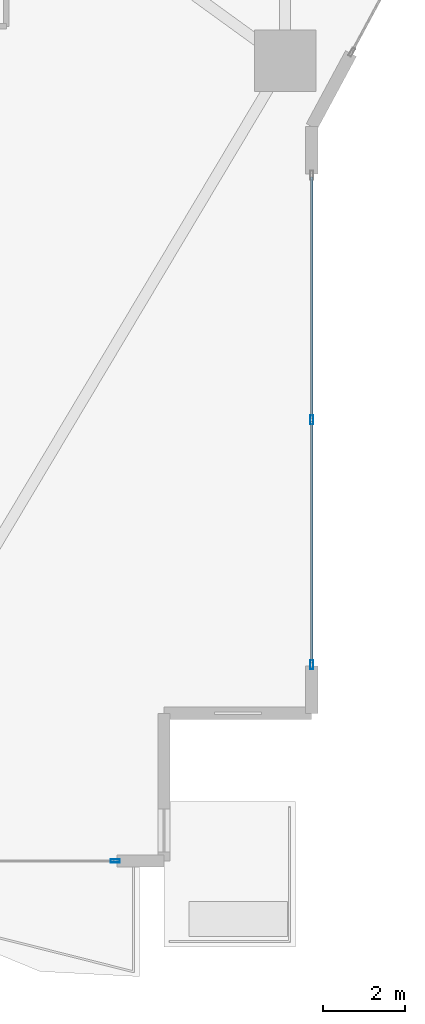
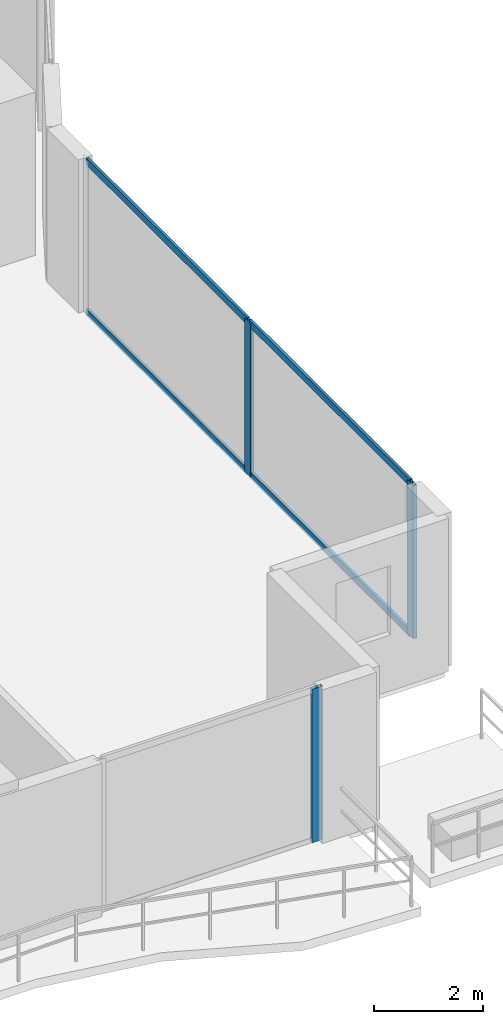
# One storey, part 10 of 30: 7 members, 2 elements without a shape of their own.
"""IFC4 building model written with IfcOpenShell, lengths in metres."""

from ifc_helpers import new_model, si_unit, direction, frame, origin, origin_2d, place, context, subcontext, project, spatial, hollow_rectangle, extrude, material, layer, layer_set, material_profile, profile_set, type_object, element, aggregate, save


model = new_model("IFC4")

# Units and contexts
model_context = context("Model", 3, precision=1e-05, world=origin(), true_north=direction((0.0, 1.0)))
body_context = subcontext(model_context, "Body", "Model", "MODEL_VIEW")
ifc_project = project(units=[si_unit("LENGTHUNIT", "METRE"), si_unit("AREAUNIT", "SQUARE_METRE"), si_unit("VOLUMEUNIT", "CUBIC_METRE"), si_unit("PLANEANGLEUNIT", "RADIAN"), si_unit("MASSUNIT", "GRAM", prefix="KILO")], contexts=[model_context])

# Site, building, storey
site_placement = place(None, origin())
site = spatial("IfcSite", under=ifc_project, at=site_placement, CompositionType="ELEMENT")
building_placement = place(site_placement, origin())
building = spatial("IfcBuilding", under=site, at=building_placement, Name="Zuhayl Quay Hotel", CompositionType="ELEMENT")
storey_placement = place(building_placement, frame((0.0, 0.0, 82.35009765625)))
storey = spatial("IfcBuildingStorey", under=building, at=storey_placement, Name="L20", CompositionType="ELEMENT", Elevation=82.35009765625)

# Curtain wall, members
ifc_material_1 = material(Name="Anodised Aluminium 6063-T6", Category="aluminium")
ifc_layer = layer(ifc_material_1, 0.18994140625, Name="Anodised Aluminium 6063-T6", Category="aluminium")
ifc_layer_set = layer_set([ifc_layer], Name="Anodised Aluminium 6063-T6")
curtain_wall_type = type_object("IfcCurtainWallType", Name="CW_SYS_Z1", PredefinedType="USERDEFINED", material=ifc_layer_set)
curtain_wall_1_placement = place(storey_placement, origin())
curtain_wall_1 = element("IfcCurtainWall", 1, at=curtain_wall_1_placement, inside=storey, type_object=curtain_wall_type, Name="L20 Curtain Wall ENV_L20_E14_CW1", ObjectType="UNITISED CURTAIN WALL", PredefinedType="USERDEFINED")
ifc_material_2 = material(Name="Black-anodised aluminium 6063-T6", Category="aluminium")
ifc_material_profile_1 = material_profile(ifc_material_2, hollow_rectangle(XDim=0.074951171875, YDim=0.219970703125, WallThickness=0.00390625, at=origin_2d()), Name="ALU220X75")
ifc_profile_set_1 = profile_set([ifc_material_profile_1], Name="Black-anodised aluminium 6063-T6")
member_type_1 = type_object("IfcMemberType", Name="MB_CW_MUL_220", PredefinedType="MULLION", material=ifc_profile_set_1)
member_1_placement = place(storey_placement, frame((25.699951171875, -12.35009765625, 0.0), z_axis=(0.0, 0.0, 1.0), x_axis=(1.0, 0.0, 0.0)))
member_1 = element("IfcMember", 2, at=member_1_placement, type_object=member_type_1, Name="CW-Z1 mullion 2", PredefinedType="MULLION", context=body_context, shape_type="SweptSolid", body=[
    extrude(hollow_rectangle(XDim=0.074951171875, YDim=0.219970703125, WallThickness=0.00390625, at=origin_2d()), origin(), (0.0, 0.0, 1.0), 3.429931640625),
])
member_2_placement = place(storey_placement, frame((25.699951171875, -18.3125, 0.0), z_axis=(0.0, 0.0, 1.0), x_axis=(1.0, 0.0, 0.0)))
member_2 = element("IfcMember", 3, at=member_2_placement, type_object=member_type_1, Name="CW-Z1 mullion 3", PredefinedType="MULLION", context=body_context, shape_type="SweptSolid", body=[
    extrude(hollow_rectangle(XDim=0.074951171875, YDim=0.219970703125, WallThickness=0.00390625, at=origin_2d()), origin(), (0.0, 0.0, 1.0), 3.429931640625),
])

# Curtain wall, member
curtain_wall_2_placement = place(storey_placement, origin())
curtain_wall_2 = element("IfcCurtainWall", 4, at=curtain_wall_2_placement, inside=storey, type_object=curtain_wall_type, Name="L20 Curtain Wall ENV_L20_S_CW1", ObjectType="UNITISED CURTAIN WALL", PredefinedType="USERDEFINED")
member_3_placement = place(storey_placement, frame((20.91259765625, -23.10009765625, 0.0), z_axis=(0.0, 0.0, 1.0), x_axis=(0.0, -1.0, 0.0)))
member_3 = element("IfcMember", 5, at=member_3_placement, type_object=member_type_1, Name="CW-Z1 mullion 1", PredefinedType="MULLION", context=body_context, shape_type="SweptSolid", body=[
    extrude(hollow_rectangle(XDim=0.074951171875, YDim=0.219970703125, WallThickness=0.00390625, at=origin_2d()), origin(), (0.0, 0.0, 1.0), 3.429931640625),
])
aggregate(curtain_wall_2, [member_3])

# Member
ifc_material_profile_2 = material_profile(ifc_material_2, hollow_rectangle(XDim=0.06005859375, YDim=0.14990234375, WallThickness=0.00341796875, at=origin_2d()), Name="ALU150X60")
ifc_profile_set_2 = profile_set([ifc_material_profile_2], Name="Black-anodised aluminium 6063-T6")
member_type_2 = type_object("IfcMemberType", Name="MB_CW_TRN_150", PredefinedType="USERDEFINED", material=ifc_profile_set_2)
member_4_placement = place(storey_placement, frame((25.699951171875, -6.425048828125, 0.02978515625), z_axis=(0.0, -1.0, 0.0), x_axis=(1.0, 0.0, 0.0)))
member_4 = element("IfcMember", 6, at=member_4_placement, type_object=member_type_2, Name="CW-Z1 transom 1.1", ObjectType="TRANSOM", PredefinedType="USERDEFINED", context=body_context, shape_type="SweptSolid", body=[
    extrude(hollow_rectangle(XDim=0.06005859375, YDim=0.14990234375, WallThickness=0.00341796875, at=origin_2d()), origin(), (0.0, 0.0, 1.0), 5.887451171875),
])

member_5_placement = place(storey_placement, frame((25.699951171875, -6.425048828125, 3.39990234375), z_axis=(0.0, -1.0, 0.0), x_axis=(1.0, 0.0, 0.0)))
member_5 = element("IfcMember", 7, at=member_5_placement, type_object=member_type_2, Name="CW-Z1 transom 1.2", ObjectType="TRANSOM", PredefinedType="USERDEFINED", context=body_context, shape_type="SweptSolid", body=[
    extrude(hollow_rectangle(XDim=0.06005859375, YDim=0.14990234375, WallThickness=0.00341796875, at=origin_2d()), origin(), (0.0, 0.0, 1.0), 5.887451171875),
])

member_6_placement = place(storey_placement, frame((25.699951171875, -12.387451171875, 0.02978515625), z_axis=(0.0, -1.0, 0.0), x_axis=(1.0, 0.0, 0.0)))
member_6 = element("IfcMember", 8, at=member_6_placement, type_object=member_type_2, Name="CW-Z1 transom 2.1", ObjectType="TRANSOM", PredefinedType="USERDEFINED", context=body_context, shape_type="SweptSolid", body=[
    extrude(hollow_rectangle(XDim=0.06005859375, YDim=0.14990234375, WallThickness=0.00341796875, at=origin_2d()), origin(), (0.0, 0.0, 1.0), 5.887451171875),
])

member_7_placement = place(storey_placement, frame((25.699951171875, -12.387451171875, 3.39990234375), z_axis=(0.0, -1.0, 0.0), x_axis=(1.0, 0.0, 0.0)))
member_7 = element("IfcMember", 9, at=member_7_placement, type_object=member_type_2, Name="CW-Z1 transom 2.2", ObjectType="TRANSOM", PredefinedType="USERDEFINED", context=body_context, shape_type="SweptSolid", body=[
    extrude(hollow_rectangle(XDim=0.06005859375, YDim=0.14990234375, WallThickness=0.00341796875, at=origin_2d()), origin(), (0.0, 0.0, 1.0), 5.887451171875),
])

aggregate(curtain_wall_1, [member_1, member_2, member_4, member_5, member_6, member_7])

save(model, "model.ifc")
